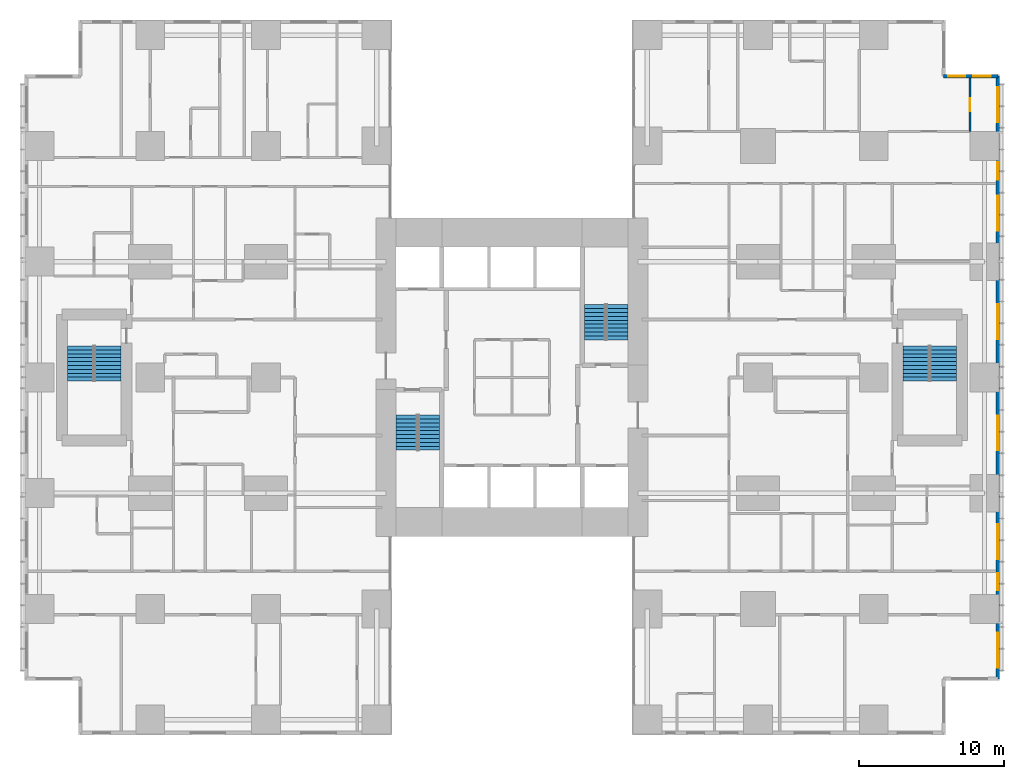
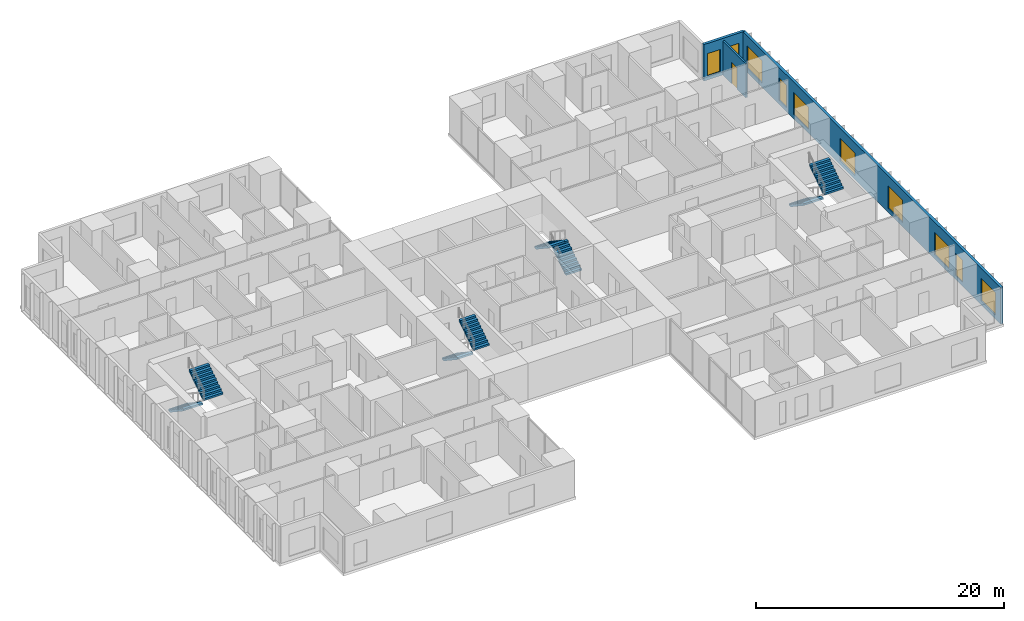
# One storey, part 19 of 20: 10 windows, 8 stair flights, 3 walls, 1 door, 11 openings, 4 elements without a shape of their own.
"""IFC4 building model written with IfcOpenShell, lengths in metres."""

from ifc_helpers import new_model, si_unit, direction, frame, frame_2d, origin, place, context, subcontext, project, spatial, polyline, rectangle, outline, extrude, material, layer, layer_set, type_object, element, fill, aggregate, save


model = new_model("IFC4")

# Units and contexts
model_context = context("Model", 3, precision=1e-05, world=origin(), true_north=direction((0.0, 1.0)))
body_context = subcontext(model_context, "Body", "Model", "MODEL_VIEW")
ifc_project = project(units=[si_unit("LENGTHUNIT", "METRE"), si_unit("AREAUNIT", "SQUARE_METRE"), si_unit("VOLUMEUNIT", "CUBIC_METRE"), si_unit("PLANEANGLEUNIT", "RADIAN"), si_unit("MASSUNIT", "GRAM", prefix="KILO")], contexts=[model_context])

# Site, building, storey
site_placement = place(None, origin())
site = spatial("IfcSite", under=ifc_project, at=site_placement, CompositionType="ELEMENT")
building_placement = place(site_placement, origin())
building = spatial("IfcBuilding", under=site, at=building_placement, Name="Cleftline Residences", CompositionType="ELEMENT")
storey_placement = place(building_placement, frame((0.0, 0.0, 110.60009765625)))
storey = spatial("IfcBuildingStorey", under=building, at=storey_placement, Name="L28", CompositionType="ELEMENT", Elevation=110.60009765625)

# Wall, openings, windows
ifc_material_1 = material(Name="Rendered reinforced concrete blockwork", Category="masonry")
ifc_layer_1 = layer(ifc_material_1, 0.25)
ifc_layer_set_1 = layer_set([ifc_layer_1], Name="EXTERNAL WALL 250")
wall_type_1 = type_object("IfcWallType", Name="EXTERNAL WALL 250", PredefinedType="SOLIDWALL", material=ifc_layer_set_1)
wall_1_placement = place(storey_placement, frame((66.574951171875, 3.175048828125, 0.0), z_axis=(0.0, 0.0, 1.0), x_axis=(0.0, 1.0, 0.0)))
wall_1 = element("IfcWall", 1, at=wall_1_placement, inside=storey, type_object=wall_type_1, Name="External wall", PredefinedType="SOLIDWALL", context=body_context, shape_type="SweptSolid", body=[
    extrude(rectangle(XDim=41.64990234375, YDim=0.25, at=frame_2d((20.824951171875, 0.0))), origin(), (0.0, 0.0, 1.0), 3.599853515625),
])
opening_1_placement = place(wall_1_placement, frame((0.77490234375, 0.0, 0.39990234375)))
opening_1 = element("IfcOpeningElement", 2, at=opening_1_placement, cuts=wall_1, Name="Opening W12", PredefinedType="OPENING", context=body_context, shape_type="SweptSolid", body=[
    extrude(rectangle(XDim=2.39990234375, YDim=2.199951171875, at=frame_2d((1.199951171875, 1.10009765625))), frame((0.0, 0.135009765625, 0.0), z_axis=(0.0, -1.0, 0.0), x_axis=(1.0, 0.0, 0.0)), (0.0, 0.0, 1.0), 0.27001953125),
])
opening_2_placement = place(wall_1_placement, frame((6.10009765625, 0.0, 0.39990234375)))
opening_2 = element("IfcOpeningElement", 3, at=opening_2_placement, cuts=wall_1, Name="Opening W11", PredefinedType="OPENING", context=body_context, shape_type="SweptSolid", body=[
    extrude(rectangle(XDim=1.199951171875, YDim=2.199951171875, at=frame_2d((0.60009765625, 1.10009765625))), frame((0.0, 0.135009765625, 0.0), z_axis=(0.0, -1.0, 0.0), x_axis=(1.0, 0.0, 0.0)), (0.0, 0.0, 1.0), 0.27001953125),
])
opening_3_placement = place(wall_1_placement, frame((8.27490234375, 0.0, 0.39990234375)))
opening_3 = element("IfcOpeningElement", 4, at=opening_3_placement, cuts=wall_1, Name="Opening W12", PredefinedType="OPENING", context=body_context, shape_type="SweptSolid", body=[
    extrude(rectangle(XDim=2.39990234375, YDim=2.199951171875, at=frame_2d((1.199951171875, 1.10009765625))), frame((0.0, 0.135009765625, 0.0), z_axis=(0.0, -1.0, 0.0), x_axis=(1.0, 0.0, 0.0)), (0.0, 0.0, 1.0), 0.27001953125),
])
opening_4_placement = place(wall_1_placement, frame((15.77490234375, 0.0, 0.39990234375)))
opening_4 = element("IfcOpeningElement", 5, at=opening_4_placement, cuts=wall_1, Name="Opening W12", PredefinedType="OPENING", context=body_context, shape_type="SweptSolid", body=[
    extrude(rectangle(XDim=2.39990234375, YDim=2.199951171875, at=frame_2d((1.199951171875, 1.10009765625))), frame((0.0, 0.135009765625, 0.0), z_axis=(0.0, -1.0, 0.0), x_axis=(1.0, 0.0, 0.0)), (0.0, 0.0, 1.0), 0.27001953125),
])
opening_5_placement = place(wall_1_placement, frame((23.47509765625, 0.0, 0.39990234375)))
opening_5 = element("IfcOpeningElement", 6, at=opening_5_placement, cuts=wall_1, Name="Opening W12", PredefinedType="OPENING", context=body_context, shape_type="SweptSolid", body=[
    extrude(rectangle(XDim=2.39990234375, YDim=2.199951171875, at=frame_2d((1.199951171875, 1.10009765625))), frame((0.0, 0.135009765625, 0.0), z_axis=(0.0, -1.0, 0.0), x_axis=(1.0, 0.0, 0.0)), (0.0, 0.0, 1.0), 0.27001953125),
])
opening_6_placement = place(wall_1_placement, frame((30.97509765625, 0.0, 0.39990234375)))
opening_6 = element("IfcOpeningElement", 7, at=opening_6_placement, cuts=wall_1, Name="Opening W12", PredefinedType="OPENING", context=body_context, shape_type="SweptSolid", body=[
    extrude(rectangle(XDim=2.39990234375, YDim=2.199951171875, at=frame_2d((1.199951171875, 1.10009765625))), frame((0.0, 0.135009765625, 0.0), z_axis=(0.0, -1.0, 0.0), x_axis=(1.0, 0.0, 0.0)), (0.0, 0.0, 1.0), 0.27001953125),
])
opening_7_placement = place(wall_1_placement, frame((34.5, 0.0, 0.39990234375)))
opening_7 = element("IfcOpeningElement", 8, at=opening_7_placement, cuts=wall_1, Name="Opening W11", PredefinedType="OPENING", context=body_context, shape_type="SweptSolid", body=[
    extrude(rectangle(XDim=1.199951171875, YDim=2.199951171875, at=frame_2d((0.60009765625, 1.10009765625))), frame((0.0, 0.135009765625, 0.0), z_axis=(0.0, -1.0, 0.0), x_axis=(1.0, 0.0, 0.0)), (0.0, 0.0, 1.0), 0.27001953125),
])
opening_8_placement = place(wall_1_placement, frame((38.47509765625, 0.0, 0.39990234375)))
opening_8 = element("IfcOpeningElement", 9, at=opening_8_placement, cuts=wall_1, Name="Opening W12", PredefinedType="OPENING", context=body_context, shape_type="SweptSolid", body=[
    extrude(rectangle(XDim=2.39990234375, YDim=2.199951171875, at=frame_2d((1.199951171875, 1.10009765625))), frame((0.0, 0.135009765625, 0.0), z_axis=(0.0, -1.0, 0.0), x_axis=(1.0, 0.0, 0.0)), (0.0, 0.0, 1.0), 0.27001953125),
])
ifc_material_2 = material(Name="Aluminium frame, clear double glazing", Category="aluminium")
window_type_1 = type_object("IfcWindowType", Name="WINDOW 1200X2200", PartitioningType="DOUBLE_PANEL_VERTICAL", PredefinedType="WINDOW", material=ifc_material_2)
window_1_placement = place(opening_2_placement, origin())
window_1 = element("IfcWindow", 10, at=window_1_placement, inside=storey, type_object=window_type_1, Name="Window", OverallHeight=2.199951171875, OverallWidth=1.199951171875, PartitioningType="SINGLE_PANEL", PredefinedType="WINDOW", context=body_context, shape_type="SweptSolid", body=[
    extrude(rectangle(XDim=1.199951171875, YDim=2.199951171875, at=frame_2d((0.60009765625, 1.10009765625))), frame((0.0, 0.030029296875, 0.0), z_axis=(0.0, -1.0, 0.0), x_axis=(1.0, 0.0, 0.0)), (0.0, 0.0, 1.0), 0.06005859375),
])
fill(opening_2, window_1)
window_2_placement = place(opening_7_placement, origin())
window_2 = element("IfcWindow", 11, at=window_2_placement, inside=storey, type_object=window_type_1, Name="Window", OverallHeight=2.199951171875, OverallWidth=1.199951171875, PartitioningType="SINGLE_PANEL", PredefinedType="WINDOW", context=body_context, shape_type="SweptSolid", body=[
    extrude(rectangle(XDim=1.199951171875, YDim=2.199951171875, at=frame_2d((0.60009765625, 1.10009765625))), frame((0.0, 0.030029296875, 0.0), z_axis=(0.0, -1.0, 0.0), x_axis=(1.0, 0.0, 0.0)), (0.0, 0.0, 1.0), 0.06005859375),
])
fill(opening_7, window_2)
ifc_material_3 = material(Name="Aluminium frame, clear double glazing", Category="aluminium")
window_type_2 = type_object("IfcWindowType", Name="WINDOW 2400X2200", PartitioningType="DOUBLE_PANEL_VERTICAL", PredefinedType="WINDOW", material=ifc_material_3)
window_3_placement = place(opening_1_placement, origin())
window_3 = element("IfcWindow", 12, at=window_3_placement, inside=storey, type_object=window_type_2, Name="Window", OverallHeight=2.199951171875, OverallWidth=2.39990234375, PartitioningType="SINGLE_PANEL", PredefinedType="WINDOW", context=body_context, shape_type="SweptSolid", body=[
    extrude(rectangle(XDim=2.39990234375, YDim=2.199951171875, at=frame_2d((1.199951171875, 1.10009765625))), frame((0.0, 0.030029296875, 0.0), z_axis=(0.0, -1.0, 0.0), x_axis=(1.0, 0.0, 0.0)), (0.0, 0.0, 1.0), 0.06005859375),
])
fill(opening_1, window_3)
window_4_placement = place(opening_3_placement, origin())
window_4 = element("IfcWindow", 13, at=window_4_placement, inside=storey, type_object=window_type_2, Name="Window", OverallHeight=2.199951171875, OverallWidth=2.39990234375, PartitioningType="SINGLE_PANEL", PredefinedType="WINDOW", context=body_context, shape_type="SweptSolid", body=[
    extrude(rectangle(XDim=2.39990234375, YDim=2.199951171875, at=frame_2d((1.199951171875, 1.10009765625))), frame((0.0, 0.030029296875, 0.0), z_axis=(0.0, -1.0, 0.0), x_axis=(1.0, 0.0, 0.0)), (0.0, 0.0, 1.0), 0.06005859375),
])
fill(opening_3, window_4)
window_5_placement = place(opening_4_placement, origin())
window_5 = element("IfcWindow", 14, at=window_5_placement, inside=storey, type_object=window_type_2, Name="Window", OverallHeight=2.199951171875, OverallWidth=2.39990234375, PartitioningType="SINGLE_PANEL", PredefinedType="WINDOW", context=body_context, shape_type="SweptSolid", body=[
    extrude(rectangle(XDim=2.39990234375, YDim=2.199951171875, at=frame_2d((1.199951171875, 1.10009765625))), frame((0.0, 0.030029296875, 0.0), z_axis=(0.0, -1.0, 0.0), x_axis=(1.0, 0.0, 0.0)), (0.0, 0.0, 1.0), 0.06005859375),
])
fill(opening_4, window_5)
window_6_placement = place(opening_5_placement, origin())
window_6 = element("IfcWindow", 15, at=window_6_placement, inside=storey, type_object=window_type_2, Name="Window", OverallHeight=2.199951171875, OverallWidth=2.39990234375, PartitioningType="SINGLE_PANEL", PredefinedType="WINDOW", context=body_context, shape_type="SweptSolid", body=[
    extrude(rectangle(XDim=2.39990234375, YDim=2.199951171875, at=frame_2d((1.199951171875, 1.10009765625))), frame((0.0, 0.030029296875, 0.0), z_axis=(0.0, -1.0, 0.0), x_axis=(1.0, 0.0, 0.0)), (0.0, 0.0, 1.0), 0.06005859375),
])
fill(opening_5, window_6)
window_7_placement = place(opening_6_placement, origin())
window_7 = element("IfcWindow", 16, at=window_7_placement, inside=storey, type_object=window_type_2, Name="Window", OverallHeight=2.199951171875, OverallWidth=2.39990234375, PartitioningType="SINGLE_PANEL", PredefinedType="WINDOW", context=body_context, shape_type="SweptSolid", body=[
    extrude(rectangle(XDim=2.39990234375, YDim=2.199951171875, at=frame_2d((1.199951171875, 1.10009765625))), frame((0.0, 0.030029296875, 0.0), z_axis=(0.0, -1.0, 0.0), x_axis=(1.0, 0.0, 0.0)), (0.0, 0.0, 1.0), 0.06005859375),
])
fill(opening_6, window_7)
window_8_placement = place(opening_8_placement, origin())
window_8 = element("IfcWindow", 17, at=window_8_placement, inside=storey, type_object=window_type_2, Name="Window", OverallHeight=2.199951171875, OverallWidth=2.39990234375, PartitioningType="SINGLE_PANEL", PredefinedType="WINDOW", context=body_context, shape_type="SweptSolid", body=[
    extrude(rectangle(XDim=2.39990234375, YDim=2.199951171875, at=frame_2d((1.199951171875, 1.10009765625))), frame((0.0, 0.030029296875, 0.0), z_axis=(0.0, -1.0, 0.0), x_axis=(1.0, 0.0, 0.0)), (0.0, 0.0, 1.0), 0.06005859375),
])
fill(opening_8, window_8)

wall_2_placement = place(storey_placement, frame((66.574951171875, 44.824951171875, 0.0), z_axis=(0.0, 0.0, 1.0), x_axis=(-1.0, 0.0, 0.0)))
wall_2 = element("IfcWall", 18, at=wall_2_placement, inside=storey, type_object=wall_type_1, Name="External wall", PredefinedType="SOLIDWALL", context=body_context, shape_type="SweptSolid", body=[
    extrude(rectangle(XDim=3.75, YDim=0.25, at=frame_2d((1.875, 0.0))), origin(), (0.0, 0.0, 1.0), 3.599853515625),
])
opening_9_placement = place(wall_2_placement, frame((0.5, 0.0, 0.39990234375)))
opening_9 = element("IfcOpeningElement", 19, at=opening_9_placement, cuts=wall_2, Name="Opening W11", PredefinedType="OPENING", context=body_context, shape_type="SweptSolid", body=[
    extrude(rectangle(XDim=1.199951171875, YDim=2.199951171875, at=frame_2d((0.60009765625, 1.10009765625))), frame((0.0, 0.135009765625, 0.0), z_axis=(0.0, -1.0, 0.0), x_axis=(1.0, 0.0, 0.0)), (0.0, 0.0, 1.0), 0.27001953125),
])
opening_10_placement = place(wall_2_placement, frame((2.237548828125, 0.0, 0.39990234375)))
opening_10 = element("IfcOpeningElement", 20, at=opening_10_placement, cuts=wall_2, Name="Opening W11", PredefinedType="OPENING", context=body_context, shape_type="SweptSolid", body=[
    extrude(rectangle(XDim=1.199951171875, YDim=2.199951171875, at=frame_2d((0.60009765625, 1.10009765625))), frame((0.0, 0.135009765625, 0.0), z_axis=(0.0, -1.0, 0.0), x_axis=(1.0, 0.0, 0.0)), (0.0, 0.0, 1.0), 0.27001953125),
])
window_9_placement = place(opening_9_placement, origin())
window_9 = element("IfcWindow", 21, at=window_9_placement, inside=storey, type_object=window_type_1, Name="Window", OverallHeight=2.199951171875, OverallWidth=1.199951171875, PartitioningType="SINGLE_PANEL", PredefinedType="WINDOW", context=body_context, shape_type="SweptSolid", body=[
    extrude(rectangle(XDim=1.199951171875, YDim=2.199951171875, at=frame_2d((0.60009765625, 1.10009765625))), frame((0.0, 0.030029296875, 0.0), z_axis=(0.0, -1.0, 0.0), x_axis=(1.0, 0.0, 0.0)), (0.0, 0.0, 1.0), 0.06005859375),
])
fill(opening_9, window_9)
window_10_placement = place(opening_10_placement, origin())
window_10 = element("IfcWindow", 22, at=window_10_placement, inside=storey, type_object=window_type_1, Name="Window", OverallHeight=2.199951171875, OverallWidth=1.199951171875, PartitioningType="SINGLE_PANEL", PredefinedType="WINDOW", context=body_context, shape_type="SweptSolid", body=[
    extrude(rectangle(XDim=1.199951171875, YDim=2.199951171875, at=frame_2d((0.60009765625, 1.10009765625))), frame((0.0, 0.030029296875, 0.0), z_axis=(0.0, -1.0, 0.0), x_axis=(1.0, 0.0, 0.0)), (0.0, 0.0, 1.0), 0.06005859375),
])
fill(opening_10, window_10)

# Wall, opening, door
ifc_material_4 = material(Name="Gypsum board on steel studs", Category="steel")
ifc_layer_2 = layer(ifc_material_4, 0.14990234375)
ifc_layer_set_2 = layer_set([ifc_layer_2], Name="PARTITION 150")
wall_type_2 = type_object("IfcWallType", Name="PARTITION 150", PredefinedType="PARTITIONING", material=ifc_layer_set_2)
wall_3_placement = place(storey_placement, frame((64.64990234375, 41.0, 0.0), z_axis=(0.0, 0.0, 1.0), x_axis=(0.0, 1.0, 0.0)))
wall_3 = element("IfcWall", 23, at=wall_3_placement, inside=storey, type_object=wall_type_2, Name="Partition", PredefinedType="PARTITIONING", context=body_context, shape_type="SweptSolid", body=[
    extrude(rectangle(XDim=3.699951171875, YDim=0.14990234375, at=frame_2d((1.85009765625, 0.0))), origin(), (0.0, 0.0, 1.0), 3.349853515625),
])
opening_11_placement = place(wall_3_placement, frame((1.39990234375, 0.0, 0.0)))
opening_11 = element("IfcOpeningElement", 24, at=opening_11_placement, cuts=wall_3, Name="Opening D1", PredefinedType="OPENING", context=body_context, shape_type="SweptSolid", body=[
    extrude(rectangle(XDim=0.89990234375, YDim=2.10009765625, at=frame_2d((0.449951171875, 1.050048828125))), frame((0.0, 0.0849609375, 0.0), z_axis=(0.0, -1.0, 0.0), x_axis=(1.0, 0.0, 0.0)), (0.0, 0.0, 1.0), 0.169921875),
])
ifc_material_5 = material(Name="Timber veneer on solid core", Category="wood")
door_type = type_object("IfcDoorType", Name="DOOR 900X2100", OperationType="SINGLE_SWING_LEFT", PredefinedType="DOOR", material=ifc_material_5)
door_placement = place(opening_11_placement, origin())
door = element("IfcDoor", 25, at=door_placement, inside=storey, type_object=door_type, Name="Door to walk-in wardrobe", OperationType="SINGLE_SWING_LEFT", OverallHeight=2.10009765625, OverallWidth=0.89990234375, PredefinedType="DOOR", context=body_context, shape_type="SweptSolid", body=[
    extrude(rectangle(XDim=0.89990234375, YDim=2.10009765625, at=frame_2d((0.449951171875, 1.050048828125))), frame((0.0, 0.02490234375, 0.0), z_axis=(0.0, -1.0, 0.0), x_axis=(1.0, 0.0, 0.0)), (0.0, 0.0, 1.0), 0.050048828125),
])
fill(opening_11, door)

# Stair, stair flights
ifc_material_6 = material(Name="Concrete B45, stone treads", Category="masonry")
stair_type_1 = type_object("IfcStairType", Name="STAIR A 1450 WIDE 180 RISER", PredefinedType="HALF_TURN_STAIR", material=ifc_material_6)
stair_1_placement = place(storey_placement, origin())
stair_1 = element("IfcStair", 26, at=stair_1_placement, inside=storey, type_object=stair_type_1, Name="Stair A L28", PredefinedType="HALF_TURN_STAIR")
ifc_material_7 = material(Name="Concrete B45", Category="concrete")
stair_flight_type_1 = type_object("IfcStairFlightType", Name="STAIR A FLIGHT 1450X180", PredefinedType="STRAIGHT", material=ifc_material_7)
stair_flight_1_placement = place(storey_placement, frame((25.72509765625, 21.39990234375, 0.0), z_axis=(0.0, 0.0, 1.0), x_axis=(0.0, -1.0, 0.0)))
stair_flight_1 = element("IfcStairFlight", 27, at=stair_flight_1_placement, type_object=stair_flight_type_1, Name="ST-A flight 1", NumberOfRisers=10, NumberOfTreads=9, PredefinedType="STRAIGHT", RiserHeight=0.18, TreadLength=0.27, context=body_context, shape_type="SweptSolid", body=[
    extrude(outline(polyline([(0.0, 0.0), (0.0, 0.013916015625), (0.0, 0.027587890625), (0.0, 0.04150390625), (0.0, 0.055419921875), (0.0, 0.0693359375), (0.0, 0.0830078125), (0.0, 0.096923828125), (0.0, 0.11083984375), (0.0, 0.12451171875), (0.0, 0.138427734375), (0.0, 0.15234375), (0.0, 0.166259765625), (0.0, 0.179931640625), (0.27001953125, 0.179931640625), (0.27001953125, 0.360107421875), (0.5400390625, 0.360107421875), (0.5400390625, 0.5400390625), (0.81005859375, 0.5400390625), (0.81005859375, 0.719970703125), (1.080078125, 0.719970703125), (1.080078125, 0.89990234375), (1.35009765625, 0.89990234375), (1.35009765625, 1.080078125), (1.6201171875, 1.080078125), (1.6201171875, 1.260009765625), (1.889892578125, 1.260009765625), (1.889892578125, 1.43994140625), (2.159912109375, 1.43994140625), (2.159912109375, 1.6201171875), (2.429931640625, 1.6201171875), (2.429931640625, 1.800048828125), (2.429931640625, 1.772216796875), (2.429931640625, 1.74462890625), (2.429931640625, 1.716796875), (2.429931640625, 1.689208984375), (2.429931640625, 1.661376953125), (2.429931640625, 1.6337890625), (2.429931640625, 1.60595703125), (2.429931640625, 1.578369140625), (2.429931640625, 1.550537109375), (2.429931640625, 1.52294921875), (2.429931640625, 1.495361328125), (2.429931640625, 1.467529296875), (2.429931640625, 1.43994140625), (0.270263671875, 0.0), (0.0, 0.0)])), frame((0.0, 0.72509765625, 0.0), z_axis=(0.0, -1.0, 0.0), x_axis=(1.0, 0.0, 0.0)), (0.0, 0.0, 1.0), 1.449951171875),
])
stair_flight_2_placement = place(storey_placement, frame((27.27490234375, 18.969970703125, 1.7998046875), z_axis=(0.0, 0.0, 1.0), x_axis=(0.0, 1.0, 0.0)))
stair_flight_2 = element("IfcStairFlight", 28, at=stair_flight_2_placement, type_object=stair_flight_type_1, Name="ST-A flight 2", NumberOfRisers=10, NumberOfTreads=9, PredefinedType="STRAIGHT", RiserHeight=0.18, TreadLength=0.27, context=body_context, shape_type="SweptSolid", body=[
    extrude(outline(polyline([(0.0, 0.0), (0.0, 0.013916015625), (0.0, 0.027587890625), (0.0, 0.04150390625), (0.0, 0.055419921875), (0.0, 0.0693359375), (0.0, 0.0830078125), (0.0, 0.096923828125), (0.0, 0.11083984375), (0.0, 0.12451171875), (0.0, 0.138427734375), (0.0, 0.15234375), (0.0, 0.166259765625), (0.0, 0.179931640625), (0.27001953125, 0.179931640625), (0.27001953125, 0.360107421875), (0.5400390625, 0.360107421875), (0.5400390625, 0.5400390625), (0.81005859375, 0.5400390625), (0.81005859375, 0.719970703125), (1.080078125, 0.719970703125), (1.080078125, 0.89990234375), (1.35009765625, 0.89990234375), (1.35009765625, 1.080078125), (1.6201171875, 1.080078125), (1.6201171875, 1.260009765625), (1.889892578125, 1.260009765625), (1.889892578125, 1.43994140625), (2.159912109375, 1.43994140625), (2.159912109375, 1.6201171875), (2.429931640625, 1.6201171875), (2.429931640625, 1.800048828125), (2.429931640625, 1.772216796875), (2.429931640625, 1.74462890625), (2.429931640625, 1.716796875), (2.429931640625, 1.689208984375), (2.429931640625, 1.661376953125), (2.429931640625, 1.6337890625), (2.429931640625, 1.60595703125), (2.429931640625, 1.578369140625), (2.429931640625, 1.550537109375), (2.429931640625, 1.52294921875), (2.429931640625, 1.495361328125), (2.429931640625, 1.467529296875), (2.429931640625, 1.43994140625), (0.270263671875, 0.0), (0.0, 0.0)])), frame((0.0, 0.72509765625, 0.0), z_axis=(0.0, -1.0, 0.0), x_axis=(1.0, 0.0, 0.0)), (0.0, 0.0, 1.0), 1.449951171875),
])
aggregate(stair_1, [stair_flight_1, stair_flight_2])

ifc_material_8 = material(Name="Concrete B45, stone treads", Category="masonry")
stair_type_2 = type_object("IfcStairType", Name="STAIR B 1450 WIDE 180 RISER", PredefinedType="HALF_TURN_STAIR", material=ifc_material_8)
stair_2_placement = place(storey_placement, origin())
stair_2 = element("IfcStair", 29, at=stair_2_placement, inside=storey, type_object=stair_type_2, Name="Stair B L28", PredefinedType="HALF_TURN_STAIR")
ifc_material_9 = material(Name="Concrete B45", Category="concrete")
stair_flight_type_2 = type_object("IfcStairFlightType", Name="STAIR B FLIGHT 1450X180", PredefinedType="STRAIGHT", material=ifc_material_9)
stair_flight_3_placement = place(storey_placement, frame((40.27490234375, 26.60009765625, 0.0), z_axis=(0.0, 0.0, 1.0), x_axis=(0.0, 1.0, 0.0)))
stair_flight_3 = element("IfcStairFlight", 30, at=stair_flight_3_placement, type_object=stair_flight_type_2, Name="ST-B flight 1", NumberOfRisers=10, NumberOfTreads=9, PredefinedType="STRAIGHT", RiserHeight=0.18, TreadLength=0.27, context=body_context, shape_type="SweptSolid", body=[
    extrude(outline(polyline([(0.0, 0.0), (0.0, 0.013916015625), (0.0, 0.027587890625), (0.0, 0.04150390625), (0.0, 0.055419921875), (0.0, 0.0693359375), (0.0, 0.0830078125), (0.0, 0.096923828125), (0.0, 0.11083984375), (0.0, 0.12451171875), (0.0, 0.138427734375), (0.0, 0.15234375), (0.0, 0.166259765625), (0.0, 0.179931640625), (0.27001953125, 0.179931640625), (0.27001953125, 0.360107421875), (0.5400390625, 0.360107421875), (0.5400390625, 0.5400390625), (0.81005859375, 0.5400390625), (0.81005859375, 0.719970703125), (1.080078125, 0.719970703125), (1.080078125, 0.89990234375), (1.35009765625, 0.89990234375), (1.35009765625, 1.080078125), (1.6201171875, 1.080078125), (1.6201171875, 1.260009765625), (1.889892578125, 1.260009765625), (1.889892578125, 1.43994140625), (2.159912109375, 1.43994140625), (2.159912109375, 1.6201171875), (2.429931640625, 1.6201171875), (2.429931640625, 1.800048828125), (2.429931640625, 1.772216796875), (2.429931640625, 1.74462890625), (2.429931640625, 1.716796875), (2.429931640625, 1.689208984375), (2.429931640625, 1.661376953125), (2.429931640625, 1.6337890625), (2.429931640625, 1.60595703125), (2.429931640625, 1.578369140625), (2.429931640625, 1.550537109375), (2.429931640625, 1.52294921875), (2.429931640625, 1.495361328125), (2.429931640625, 1.467529296875), (2.429931640625, 1.43994140625), (0.270263671875, 0.0), (0.0, 0.0)])), frame((0.0, 0.72509765625, 0.0), z_axis=(0.0, -1.0, 0.0), x_axis=(1.0, 0.0, 0.0)), (0.0, 0.0, 1.0), 1.449951171875),
])
stair_flight_4_placement = place(storey_placement, frame((38.72509765625, 29.030029296875, 1.7998046875), z_axis=(0.0, 0.0, 1.0), x_axis=(0.0, -1.0, 0.0)))
stair_flight_4 = element("IfcStairFlight", 31, at=stair_flight_4_placement, type_object=stair_flight_type_2, Name="ST-B flight 2", NumberOfRisers=10, NumberOfTreads=9, PredefinedType="STRAIGHT", RiserHeight=0.18, TreadLength=0.27, context=body_context, shape_type="SweptSolid", body=[
    extrude(outline(polyline([(0.0, 0.0), (0.0, 0.013916015625), (0.0, 0.027587890625), (0.0, 0.04150390625), (0.0, 0.055419921875), (0.0, 0.0693359375), (0.0, 0.0830078125), (0.0, 0.096923828125), (0.0, 0.11083984375), (0.0, 0.12451171875), (0.0, 0.138427734375), (0.0, 0.15234375), (0.0, 0.166259765625), (0.0, 0.179931640625), (0.27001953125, 0.179931640625), (0.27001953125, 0.360107421875), (0.5400390625, 0.360107421875), (0.5400390625, 0.5400390625), (0.81005859375, 0.5400390625), (0.81005859375, 0.719970703125), (1.080078125, 0.719970703125), (1.080078125, 0.89990234375), (1.35009765625, 0.89990234375), (1.35009765625, 1.080078125), (1.6201171875, 1.080078125), (1.6201171875, 1.260009765625), (1.889892578125, 1.260009765625), (1.889892578125, 1.43994140625), (2.159912109375, 1.43994140625), (2.159912109375, 1.6201171875), (2.429931640625, 1.6201171875), (2.429931640625, 1.800048828125), (2.429931640625, 1.772216796875), (2.429931640625, 1.74462890625), (2.429931640625, 1.716796875), (2.429931640625, 1.689208984375), (2.429931640625, 1.661376953125), (2.429931640625, 1.6337890625), (2.429931640625, 1.60595703125), (2.429931640625, 1.578369140625), (2.429931640625, 1.550537109375), (2.429931640625, 1.52294921875), (2.429931640625, 1.495361328125), (2.429931640625, 1.467529296875), (2.429931640625, 1.43994140625), (0.270263671875, 0.0), (0.0, 0.0)])), frame((0.0, 0.72509765625, 0.0), z_axis=(0.0, -1.0, 0.0), x_axis=(1.0, 0.0, 0.0)), (0.0, 0.0, 1.0), 1.449951171875),
])
aggregate(stair_2, [stair_flight_3, stair_flight_4])

ifc_material_10 = material(Name="Concrete B45, stone treads", Category="masonry")
stair_type_3 = type_object("IfcStairType", Name="STAIR E 1800 WIDE 180 RISER", PredefinedType="HALF_TURN_STAIR", material=ifc_material_10)
stair_3_placement = place(storey_placement, origin())
stair_3 = element("IfcStair", 32, at=stair_3_placement, inside=storey, type_object=stair_type_3, Name="Stair E L28", PredefinedType="HALF_TURN_STAIR")
ifc_material_11 = material(Name="Concrete B45", Category="concrete")
stair_flight_type_3 = type_object("IfcStairFlightType", Name="STAIR E FLIGHT 1800X180", PredefinedType="STRAIGHT", material=ifc_material_11)
stair_flight_5_placement = place(storey_placement, frame((60.925048828125, 26.175048828125, 0.0), z_axis=(0.0, 0.0, 1.0), x_axis=(0.0, -1.0, 0.0)))
stair_flight_5 = element("IfcStairFlight", 33, at=stair_flight_5_placement, type_object=stair_flight_type_3, Name="ST-E flight 1", NumberOfRisers=10, NumberOfTreads=9, PredefinedType="STRAIGHT", RiserHeight=0.18, TreadLength=0.27, context=body_context, shape_type="SweptSolid", body=[
    extrude(outline(polyline([(0.0, 0.0), (0.0, 0.013916015625), (0.0, 0.027587890625), (0.0, 0.04150390625), (0.0, 0.055419921875), (0.0, 0.0693359375), (0.0, 0.0830078125), (0.0, 0.096923828125), (0.0, 0.11083984375), (0.0, 0.12451171875), (0.0, 0.138427734375), (0.0, 0.15234375), (0.0, 0.166259765625), (0.0, 0.179931640625), (0.27001953125, 0.179931640625), (0.27001953125, 0.360107421875), (0.5400390625, 0.360107421875), (0.5400390625, 0.5400390625), (0.81005859375, 0.5400390625), (0.81005859375, 0.719970703125), (1.080078125, 0.719970703125), (1.080078125, 0.89990234375), (1.35009765625, 0.89990234375), (1.35009765625, 1.080078125), (1.6201171875, 1.080078125), (1.6201171875, 1.260009765625), (1.889892578125, 1.260009765625), (1.889892578125, 1.43994140625), (2.159912109375, 1.43994140625), (2.159912109375, 1.6201171875), (2.429931640625, 1.6201171875), (2.429931640625, 1.800048828125), (2.429931640625, 1.772216796875), (2.429931640625, 1.74462890625), (2.429931640625, 1.716796875), (2.429931640625, 1.689208984375), (2.429931640625, 1.661376953125), (2.429931640625, 1.6337890625), (2.429931640625, 1.60595703125), (2.429931640625, 1.578369140625), (2.429931640625, 1.550537109375), (2.429931640625, 1.52294921875), (2.429931640625, 1.495361328125), (2.429931640625, 1.467529296875), (2.429931640625, 1.43994140625), (0.270263671875, 0.0), (0.0, 0.0)])), frame((0.0, 0.89990234375, 0.0), z_axis=(0.0, -1.0, 0.0), x_axis=(1.0, 0.0, 0.0)), (0.0, 0.0, 1.0), 1.800048828125),
])
stair_flight_6_placement = place(storey_placement, frame((62.824951171875, 23.7451171875, 1.7998046875), z_axis=(0.0, 0.0, 1.0), x_axis=(0.0, 1.0, 0.0)))
stair_flight_6 = element("IfcStairFlight", 34, at=stair_flight_6_placement, type_object=stair_flight_type_3, Name="ST-E flight 2", NumberOfRisers=10, NumberOfTreads=9, PredefinedType="STRAIGHT", RiserHeight=0.18, TreadLength=0.27, context=body_context, shape_type="SweptSolid", body=[
    extrude(outline(polyline([(0.0, 0.0), (0.0, 0.013916015625), (0.0, 0.027587890625), (0.0, 0.04150390625), (0.0, 0.055419921875), (0.0, 0.0693359375), (0.0, 0.0830078125), (0.0, 0.096923828125), (0.0, 0.11083984375), (0.0, 0.12451171875), (0.0, 0.138427734375), (0.0, 0.15234375), (0.0, 0.166259765625), (0.0, 0.179931640625), (0.27001953125, 0.179931640625), (0.27001953125, 0.360107421875), (0.5400390625, 0.360107421875), (0.5400390625, 0.5400390625), (0.81005859375, 0.5400390625), (0.81005859375, 0.719970703125), (1.080078125, 0.719970703125), (1.080078125, 0.89990234375), (1.35009765625, 0.89990234375), (1.35009765625, 1.080078125), (1.6201171875, 1.080078125), (1.6201171875, 1.260009765625), (1.889892578125, 1.260009765625), (1.889892578125, 1.43994140625), (2.159912109375, 1.43994140625), (2.159912109375, 1.6201171875), (2.429931640625, 1.6201171875), (2.429931640625, 1.800048828125), (2.429931640625, 1.772216796875), (2.429931640625, 1.74462890625), (2.429931640625, 1.716796875), (2.429931640625, 1.689208984375), (2.429931640625, 1.661376953125), (2.429931640625, 1.6337890625), (2.429931640625, 1.60595703125), (2.429931640625, 1.578369140625), (2.429931640625, 1.550537109375), (2.429931640625, 1.52294921875), (2.429931640625, 1.495361328125), (2.429931640625, 1.467529296875), (2.429931640625, 1.43994140625), (0.270263671875, 0.0), (0.0, 0.0)])), frame((0.0, 0.89990234375, 0.0), z_axis=(0.0, -1.0, 0.0), x_axis=(1.0, 0.0, 0.0)), (0.0, 0.0, 1.0), 1.800048828125),
])
aggregate(stair_3, [stair_flight_5, stair_flight_6])

ifc_material_12 = material(Name="Concrete B45, stone treads", Category="masonry")
stair_type_4 = type_object("IfcStairType", Name="STAIR W 1800 WIDE 180 RISER", PredefinedType="HALF_TURN_STAIR", material=ifc_material_12)
stair_4_placement = place(storey_placement, origin())
stair_4 = element("IfcStair", 35, at=stair_4_placement, inside=storey, type_object=stair_type_4, Name="Stair W L28", PredefinedType="HALF_TURN_STAIR")
ifc_material_13 = material(Name="Concrete B45", Category="concrete")
stair_flight_type_4 = type_object("IfcStairFlightType", Name="STAIR W FLIGHT 1800X180", PredefinedType="STRAIGHT", material=ifc_material_13)
stair_flight_7_placement = place(storey_placement, frame((3.175048828125, 26.175048828125, 0.0), z_axis=(0.0, 0.0, 1.0), x_axis=(0.0, -1.0, 0.0)))
stair_flight_7 = element("IfcStairFlight", 36, at=stair_flight_7_placement, type_object=stair_flight_type_4, Name="ST-W flight 1", NumberOfRisers=10, NumberOfTreads=9, PredefinedType="STRAIGHT", RiserHeight=0.18, TreadLength=0.27, context=body_context, shape_type="SweptSolid", body=[
    extrude(outline(polyline([(0.0, 0.0), (0.0, 0.013916015625), (0.0, 0.027587890625), (0.0, 0.04150390625), (0.0, 0.055419921875), (0.0, 0.0693359375), (0.0, 0.0830078125), (0.0, 0.096923828125), (0.0, 0.11083984375), (0.0, 0.12451171875), (0.0, 0.138427734375), (0.0, 0.15234375), (0.0, 0.166259765625), (0.0, 0.179931640625), (0.27001953125, 0.179931640625), (0.27001953125, 0.360107421875), (0.5400390625, 0.360107421875), (0.5400390625, 0.5400390625), (0.81005859375, 0.5400390625), (0.81005859375, 0.719970703125), (1.080078125, 0.719970703125), (1.080078125, 0.89990234375), (1.35009765625, 0.89990234375), (1.35009765625, 1.080078125), (1.6201171875, 1.080078125), (1.6201171875, 1.260009765625), (1.889892578125, 1.260009765625), (1.889892578125, 1.43994140625), (2.159912109375, 1.43994140625), (2.159912109375, 1.6201171875), (2.429931640625, 1.6201171875), (2.429931640625, 1.800048828125), (2.429931640625, 1.772216796875), (2.429931640625, 1.74462890625), (2.429931640625, 1.716796875), (2.429931640625, 1.689208984375), (2.429931640625, 1.661376953125), (2.429931640625, 1.6337890625), (2.429931640625, 1.60595703125), (2.429931640625, 1.578369140625), (2.429931640625, 1.550537109375), (2.429931640625, 1.52294921875), (2.429931640625, 1.495361328125), (2.429931640625, 1.467529296875), (2.429931640625, 1.43994140625), (0.270263671875, 0.0), (0.0, 0.0)])), frame((0.0, 0.89990234375, 0.0), z_axis=(0.0, -1.0, 0.0), x_axis=(1.0, 0.0, 0.0)), (0.0, 0.0, 1.0), 1.800048828125),
])
stair_flight_8_placement = place(storey_placement, frame((5.074951171875, 23.7451171875, 1.7998046875), z_axis=(0.0, 0.0, 1.0), x_axis=(0.0, 1.0, 0.0)))
stair_flight_8 = element("IfcStairFlight", 37, at=stair_flight_8_placement, type_object=stair_flight_type_4, Name="ST-W flight 2", NumberOfRisers=10, NumberOfTreads=9, PredefinedType="STRAIGHT", RiserHeight=0.18, TreadLength=0.27, context=body_context, shape_type="SweptSolid", body=[
    extrude(outline(polyline([(0.0, 0.0), (0.0, 0.013916015625), (0.0, 0.027587890625), (0.0, 0.04150390625), (0.0, 0.055419921875), (0.0, 0.0693359375), (0.0, 0.0830078125), (0.0, 0.096923828125), (0.0, 0.11083984375), (0.0, 0.12451171875), (0.0, 0.138427734375), (0.0, 0.15234375), (0.0, 0.166259765625), (0.0, 0.179931640625), (0.27001953125, 0.179931640625), (0.27001953125, 0.360107421875), (0.5400390625, 0.360107421875), (0.5400390625, 0.5400390625), (0.81005859375, 0.5400390625), (0.81005859375, 0.719970703125), (1.080078125, 0.719970703125), (1.080078125, 0.89990234375), (1.35009765625, 0.89990234375), (1.35009765625, 1.080078125), (1.6201171875, 1.080078125), (1.6201171875, 1.260009765625), (1.889892578125, 1.260009765625), (1.889892578125, 1.43994140625), (2.159912109375, 1.43994140625), (2.159912109375, 1.6201171875), (2.429931640625, 1.6201171875), (2.429931640625, 1.800048828125), (2.429931640625, 1.772216796875), (2.429931640625, 1.74462890625), (2.429931640625, 1.716796875), (2.429931640625, 1.689208984375), (2.429931640625, 1.661376953125), (2.429931640625, 1.6337890625), (2.429931640625, 1.60595703125), (2.429931640625, 1.578369140625), (2.429931640625, 1.550537109375), (2.429931640625, 1.52294921875), (2.429931640625, 1.495361328125), (2.429931640625, 1.467529296875), (2.429931640625, 1.43994140625), (0.270263671875, 0.0), (0.0, 0.0)])), frame((0.0, 0.89990234375, 0.0), z_axis=(0.0, -1.0, 0.0), x_axis=(1.0, 0.0, 0.0)), (0.0, 0.0, 1.0), 1.800048828125),
])
aggregate(stair_4, [stair_flight_7, stair_flight_8])

save(model, "model.ifc")
